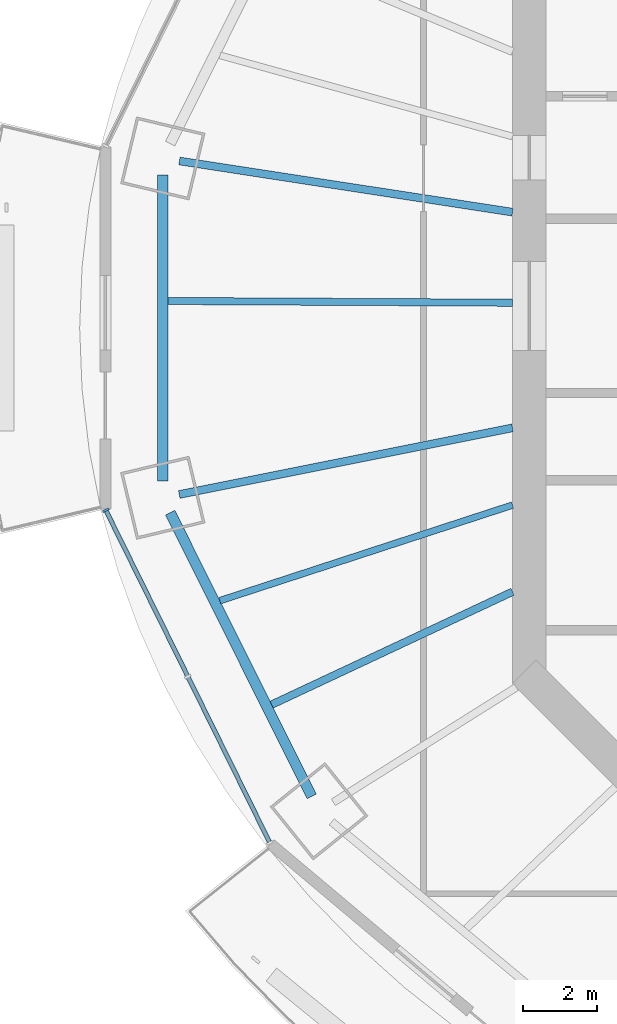
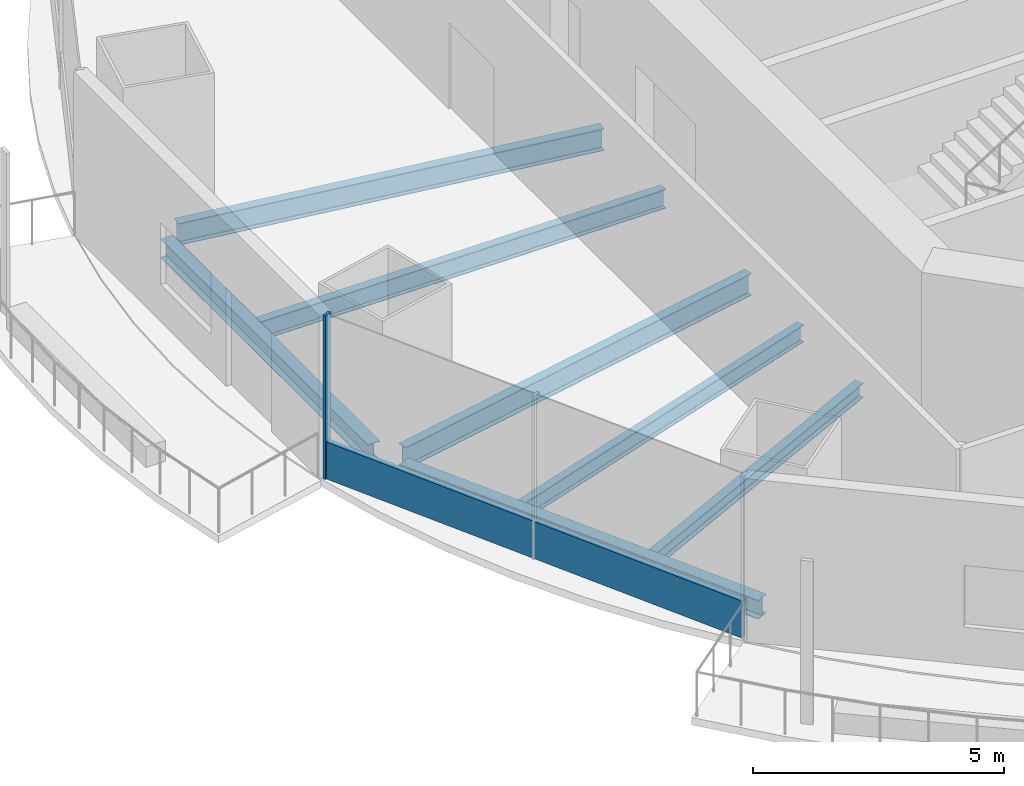
# One storey, part 3 of 19: 7 beams, 2 members, 1 element without a shape of its own.
"""IFC4 building model written with IfcOpenShell, lengths in metres."""

from ifc_helpers import new_model, si_unit, direction, frame, origin, origin_2d, place, context, subcontext, project, spatial, rectangle, i_section, extrude, material, material_profile, profile_set, type_object, element, aggregate, save


model = new_model("IFC4")

# Units and contexts
model_context = context("Model", 3, precision=1e-05, world=origin(), true_north=direction((0.0, 1.0)))
body_context = subcontext(model_context, "Body", "Model", "MODEL_VIEW")
ifc_project = project(units=[si_unit("LENGTHUNIT", "METRE"), si_unit("AREAUNIT", "SQUARE_METRE"), si_unit("VOLUMEUNIT", "CUBIC_METRE"), si_unit("PLANEANGLEUNIT", "RADIAN"), si_unit("MASSUNIT", "GRAM", prefix="KILO")], contexts=[model_context])

# Site, building, storey
site_placement = place(None, origin())
site = spatial("IfcSite", under=ifc_project, at=site_placement, CompositionType="ELEMENT")
building_placement = place(site_placement, origin())
building = spatial("IfcBuilding", under=site, at=building_placement, Name="Marenthal Gate Tower", CompositionType="ELEMENT")
storey_placement = place(building_placement, frame((0.0, 0.0, 256.5)))
storey = spatial("IfcBuildingStorey", under=building, at=storey_placement, Name="L57", CompositionType="ELEMENT", Elevation=256.5)

# Curtain wall, members
ifc_material_1 = material(Name="Aluminium and glass", Category="aluminium")
curtain_wall_type = type_object("IfcCurtainWallType", Name="Curtain wall typical mid", PredefinedType="NOTDEFINED", material=ifc_material_1)
curtain_wall_placement = place(storey_placement, origin())
curtain_wall = element("IfcCurtainWall", 1, at=curtain_wall_placement, inside=storey, type_object=curtain_wall_type, Name="Curtain wall L57 bay 9", PredefinedType="NOTDEFINED")
ifc_material_2 = material(Name="Aluminium", Category="aluminium")
ifc_material_profile_1 = material_profile(ifc_material_2, rectangle(XDim=0.179931640625, YDim=0.06005859375, at=origin_2d()), Name="60x180 aluminium mullion")
ifc_profile_set_1 = profile_set([ifc_material_profile_1], Name="Aluminium")
member_type_1 = type_object("IfcMemberType", Name="Mullion 60x180 typical mid", PredefinedType="MULLION", material=ifc_profile_set_1)
member_1_placement = place(storey_placement, frame((-27.4169921875, -5.5107421875, 0.0), z_axis=(0.0, 0.0, 1.0), x_axis=(0.896882319585, 0.44226926732, 0.0)))
member_1 = element("IfcMember", 2, at=member_1_placement, type_object=member_type_1, Name="Mullion L57 bay 9.1", PredefinedType="MULLION", context=body_context, shape_type="SweptSolid", body=[
    extrude(rectangle(XDim=0.179931640625, YDim=0.06005859375, at=origin_2d()), origin(), (0.0, 0.0, 1.0), 3.969970703125),
])
ifc_material_3 = material(Name="Aluminium", Category="aluminium")
ifc_material_profile_2 = material_profile(ifc_material_3, rectangle(XDim=0.1201171875, YDim=0.89990234375, at=origin_2d()), Name="120x900 aluminium transom")
ifc_profile_set_2 = profile_set([ifc_material_profile_2], Name="Aluminium")
member_type_2 = type_object("IfcMemberType", Name="Transom 120x900 typical mid", PredefinedType="USERDEFINED", material=ifc_profile_set_2)
member_2_placement = place(storey_placement, frame((-27.40380859375, -5.53759765625, 0.449951171875), z_axis=(0.44226596641, -0.896883947317, 0.0), x_axis=(0.896883947317, 0.44226596641, 0.0)))
member_2 = element("IfcMember", 3, at=member_2_placement, type_object=member_type_2, Name="Transom L57 bay 9", ObjectType="TRANSOM", PredefinedType="USERDEFINED", context=body_context, shape_type="SweptSolid", body=[
    extrude(rectangle(XDim=0.1201171875, YDim=0.89990234375, at=origin_2d()), origin(), (0.0, 0.0, 1.0), 9.94189453125),
])
aggregate(curtain_wall, [member_1, member_2])

# Beams
ifc_material_4 = material(Name="Steel S355", Category="steel")
ifc_material_profile_3 = material_profile(ifc_material_4, i_section(OverallWidth=0.205078125, OverallDepth=0.35302734375, WebThickness=0.009521484375, FlangeThickness=0.016845703125, FilletRadius=0.014892578125, at=origin_2d()), Name="W360X79")
ifc_profile_set_3 = profile_set([ifc_material_profile_3], Name="Steel S355")
beam_type_1 = type_object("IfcBeamType", Name="W360X79 beam", PredefinedType="BEAM", material=ifc_profile_set_3)
beam_1_placement = place(storey_placement, frame((-22.945068359375, -10.7529296875, -0.3564453125), z_axis=(0.905493268735, 0.424360625266, 0.0), x_axis=(-0.424360625266, 0.905493268735, 0.0)))
element("IfcBeam", 4, at=beam_1_placement, inside=storey, type_object=beam_type_1, Name="BM-L57-30", PredefinedType="BEAM", context=body_context, shape_type="SweptSolid", body=[
    extrude(i_section(OverallWidth=0.205078125, OverallDepth=0.35302734375, WebThickness=0.009521484375, FlangeThickness=0.016845703125, FilletRadius=0.014892578125, at=origin_2d()), origin(), (0.0, 0.0, 1.0), 7.173095703125),
])
ifc_material_5 = material(Name="Steel S355", Category="steel")
ifc_material_profile_4 = material_profile(ifc_material_5, i_section(OverallWidth=0.180908203125, OverallDepth=0.4169921875, WebThickness=0.010986328125, FlangeThickness=0.018310546875, FilletRadius=0.01025390625, at=origin_2d()), Name="W410X85")
ifc_profile_set_4 = profile_set([ifc_material_profile_4], Name="Steel S355")
beam_type_2 = type_object("IfcBeamType", Name="W410X85 beam", PredefinedType="BEAM", material=ifc_profile_set_4)
beam_2_placement = place(storey_placement, frame((-24.342041015625, -7.9501953125, -0.388427734375), z_axis=(0.950583142106, 0.310470111191, 0.0), x_axis=(-0.310470111191, 0.950583142106, 0.0)))
element("IfcBeam", 5, at=beam_2_placement, inside=storey, type_object=beam_type_2, Name="BM-L57-29", PredefinedType="BEAM", context=body_context, shape_type="SweptSolid", body=[
    extrude(i_section(OverallWidth=0.180908203125, OverallDepth=0.4169921875, WebThickness=0.010986328125, FlangeThickness=0.018310546875, FilletRadius=0.01025390625, at=origin_2d()), origin(), (0.0, 0.0, 1.0), 8.30224609375),
])
ifc_material_6 = material(Name="Steel S355", Category="steel")
ifc_material_profile_5 = material_profile(ifc_material_6, i_section(OverallWidth=0.279052734375, OverallDepth=0.4619140625, WebThickness=0.0107421875, FlangeThickness=0.017333984375, FilletRadius=0.010009765625, at=origin_2d()), Name="W460X113")
ifc_profile_set_5 = profile_set([ifc_material_profile_5], Name="Steel S355")
beam_type_3 = type_object("IfcBeamType", Name="W460X113 beam", PredefinedType="BEAM", material=ifc_profile_set_5)
beam_3_placement = place(storey_placement, frame((-25.880615234375, 3.5244140625, -0.410888671875), z_axis=(0.0, -1.0, 0.0), x_axis=(1.0, 0.0, 0.0)))
element("IfcBeam", 6, at=beam_3_placement, inside=storey, type_object=beam_type_3, Name="BM-L57-48", PredefinedType="BEAM", context=body_context, shape_type="SweptSolid", body=[
    extrude(i_section(OverallWidth=0.279052734375, OverallDepth=0.4619140625, WebThickness=0.0107421875, FlangeThickness=0.017333984375, FilletRadius=0.010009765625, at=origin_2d()), origin(), (0.0, 0.0, 1.0), 8.2490234375),
])
beam_4_placement = place(storey_placement, frame((-25.68017578125, -5.577880859375, -0.410888671875), z_axis=(0.446082541832, -0.894991824472, 0.0), x_axis=(0.894991824472, 0.446082541832, 0.0)))
element("IfcBeam", 7, at=beam_4_placement, inside=storey, type_object=beam_type_3, Name="BM-L57-49", PredefinedType="BEAM", context=body_context, shape_type="SweptSolid", body=[
    extrude(i_section(OverallWidth=0.279052734375, OverallDepth=0.4619140625, WebThickness=0.0107421875, FlangeThickness=0.017333984375, FilletRadius=0.010009765625, at=origin_2d()), origin(), (0.0, 0.0, 1.0), 8.550537109375),
])
ifc_material_7 = material(Name="Steel S355", Category="steel")
ifc_material_profile_6 = material_profile(ifc_material_7, i_section(OverallWidth=0.193115234375, OverallDepth=0.467041015625, WebThickness=0.011474609375, FlangeThickness=0.01904296875, FilletRadius=0.010009765625, at=origin_2d()), Name="W460X97")
ifc_profile_set_6 = profile_set([ifc_material_profile_6], Name="Steel S355")
beam_type_4 = type_object("IfcBeamType", Name="W460X97 beam", PredefinedType="BEAM", material=ifc_profile_set_6)
beam_5_placement = place(storey_placement, frame((-25.7412109375, 0.13134765625, -0.41357421875), z_axis=(0.999987007405, -0.005097550502, 0.0), x_axis=(0.005097550502, 0.999987007405, 0.0)))
element("IfcBeam", 8, at=beam_5_placement, inside=storey, type_object=beam_type_4, Name="BM-L57-28", PredefinedType="BEAM", context=body_context, shape_type="SweptSolid", body=[
    extrude(i_section(OverallWidth=0.193115234375, OverallDepth=0.467041015625, WebThickness=0.011474609375, FlangeThickness=0.01904296875, FilletRadius=0.010009765625, at=origin_2d()), origin(), (0.0, 0.0, 1.0), 9.291259765625),
])
ifc_material_8 = material(Name="Steel S355", Category="steel")
ifc_material_profile_7 = material_profile(ifc_material_8, i_section(OverallWidth=0.2099609375, OverallDepth=0.535888671875, WebThickness=0.010986328125, FlangeThickness=0.017333984375, FilletRadius=0.0126953125, at=origin_2d()), Name="W530X101")
ifc_profile_set_7 = profile_set([ifc_material_profile_7], Name="Steel S355")
beam_type_5 = type_object("IfcBeamType", Name="W530X101 beam", PredefinedType="BEAM", material=ifc_profile_set_7)
beam_6_placement = place(storey_placement, frame((-25.4326171875, 3.90673828125, -0.447998046875), z_axis=(0.988405834973, -0.151835125683, 0.0), x_axis=(0.151835125683, 0.988405834973, 0.0)))
element("IfcBeam", 9, at=beam_6_placement, inside=storey, type_object=beam_type_5, Name="BM-L57-08", PredefinedType="BEAM", context=body_context, shape_type="SweptSolid", body=[
    extrude(i_section(OverallWidth=0.2099609375, OverallDepth=0.535888671875, WebThickness=0.010986328125, FlangeThickness=0.017333984375, FilletRadius=0.0126953125, at=origin_2d()), origin(), (0.0, 0.0, 1.0), 9.088134765625),
])
beam_7_placement = place(storey_placement, frame((-25.438720703125, -5.087158203125, -0.447998046875), z_axis=(0.98058886973, 0.196075160491, 0.0), x_axis=(-0.196075160491, 0.98058886973, 0.0)))
element("IfcBeam", 10, at=beam_7_placement, inside=storey, type_object=beam_type_5, Name="BM-L57-09", PredefinedType="BEAM", context=body_context, shape_type="SweptSolid", body=[
    extrude(i_section(OverallWidth=0.2099609375, OverallDepth=0.535888671875, WebThickness=0.010986328125, FlangeThickness=0.017333984375, FilletRadius=0.0126953125, at=origin_2d()), origin(), (0.0, 0.0, 1.0), 9.166748046875),
])

save(model, "model.ifc")
